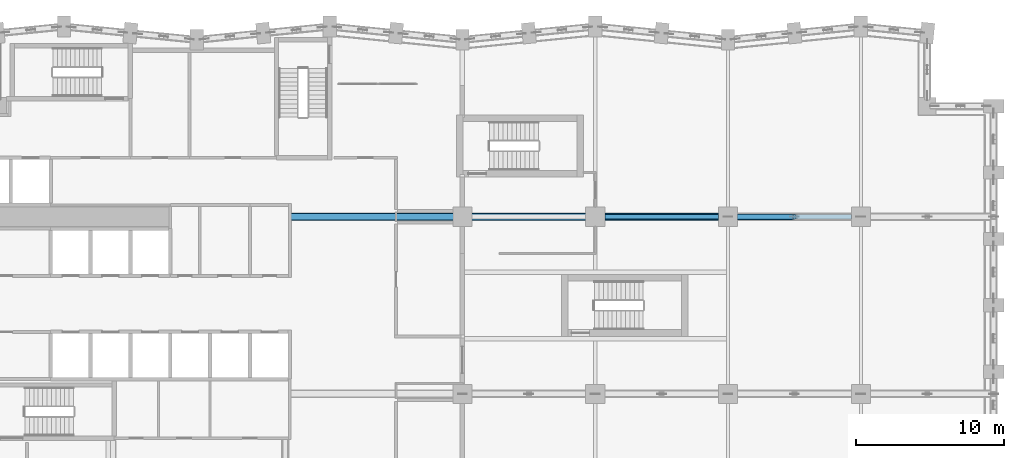
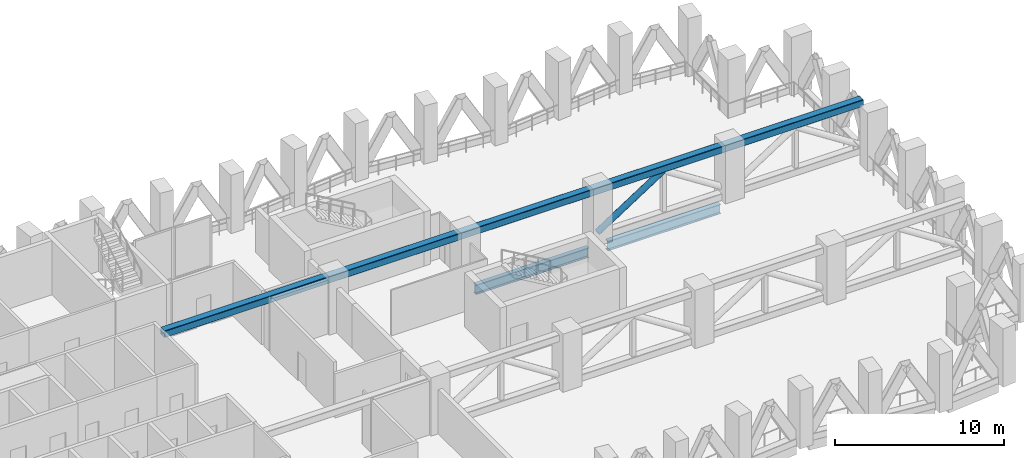
# One storey, part 11 of 25: 2 beams, 2 members.
"""IFC4 building model written with IfcOpenShell, lengths in metres."""

from ifc_helpers import new_model, si_unit, direction, frame, origin, origin_2d, place, context, subcontext, project, spatial, hollow_rectangle, hollow_circle, i_section, extrude, material, material_profile, profile_set, type_object, element, save


model = new_model("IFC4")

# Units and contexts
model_context = context("Model", 3, precision=1e-05, world=origin(), true_north=direction((0.0, 1.0)))
body_context = subcontext(model_context, "Body", "Model", "MODEL_VIEW")
ifc_project = project(units=[si_unit("LENGTHUNIT", "METRE"), si_unit("AREAUNIT", "SQUARE_METRE"), si_unit("VOLUMEUNIT", "CUBIC_METRE"), si_unit("PLANEANGLEUNIT", "RADIAN"), si_unit("MASSUNIT", "GRAM", prefix="KILO")], contexts=[model_context])

# Site, building, storey
site_placement = place(None, origin())
site = spatial("IfcSite", under=ifc_project, at=site_placement, CompositionType="ELEMENT")
building_placement = place(site_placement, origin())
building = spatial("IfcBuilding", under=site, at=building_placement, Name="Brondeck Convention Tower", CompositionType="ELEMENT")
storey_placement = place(building_placement, frame((0.0, 0.0, 84.300048828125)))
storey = spatial("IfcBuildingStorey", under=building, at=storey_placement, Name="L19", CompositionType="ELEMENT", Elevation=84.300048828125)

# Beams
ifc_material_1 = material(Name="Steel S355", Category="steel")
ifc_material_profile_1 = material_profile(ifc_material_1, i_section(OverallWidth=0.300048828125, OverallDepth=0.699951171875, WebThickness=0.01708984375, FlangeThickness=0.031982421875, FilletRadius=0.027099609375, at=origin_2d()), Name="HEB 700")
ifc_profile_set_1 = profile_set([ifc_material_profile_1], Name="Steel S355")
beam_type = type_object("IfcBeamType", Name="Girder HEB 700", PredefinedType="BEAM", material=ifc_profile_set_1)
for number, where, z_axis, x_axis, name in (
    (1, (45.64990234375, 51.0, -0.650146484375), (1.0, 0.0, 0.0), (0.0, 1.0, 0.0), "STR-GR-L19-006"),
    (2, (54.64990234375, 51.0, -0.650146484375), (1.0, 0.0, 0.0), (0.0, 1.0, 0.0), "STR-GR-L19-007"),
):
    element("IfcBeam", number, at=place(storey_placement, frame(where, z_axis=z_axis, x_axis=x_axis)), inside=storey, type_object=beam_type, Name=name, PredefinedType="BEAM", context=body_context, shape_type="SweptSolid", body=[
        extrude(i_section(OverallWidth=0.300048828125, OverallDepth=0.699951171875, WebThickness=0.01708984375, FlangeThickness=0.031982421875, FilletRadius=0.027099609375, at=origin_2d()), origin(), (0.0, 0.0, 1.0), 7.7001953125),
    ])

# Members
ifc_material_2 = material(Name="Steel S460", Category="steel")
ifc_material_profile_2 = material_profile(ifc_material_2, hollow_rectangle(XDim=0.5, YDim=0.5, WallThickness=0.02490234375, InnerFilletRadius=0.02490234375, OuterFilletRadius=0.050048828125, at=origin_2d()), Name="RHS 500x500x25")
ifc_profile_set_2 = profile_set([ifc_material_profile_2], Name="Steel S460")
member_type_1 = type_object("IfcMemberType", Name="Truss chord RHS 500x500x25", PredefinedType="CHORD", material=ifc_profile_set_2)
member_1_placement = place(storey_placement, frame((24.3701171875, 51.0, 3.64990234375), z_axis=(1.0, 0.0, 0.0), x_axis=(0.0, 1.0, 0.0)))
element("IfcMember", 3, at=member_1_placement, inside=storey, type_object=member_type_1, Name="Outrigger truss OT-19-A2 chord", PredefinedType="CHORD", context=body_context, shape_type="SweptSolid", body=[
    extrude(hollow_rectangle(XDim=0.5, YDim=0.5, WallThickness=0.02490234375, InnerFilletRadius=0.02490234375, OuterFilletRadius=0.050048828125, at=origin_2d()), origin(), (0.0, 0.0, 1.0), 47.6298828125),
])
ifc_material_profile_3 = material_profile(ifc_material_2, hollow_circle(Radius=0.203125, WallThickness=0.02490234375, at=origin_2d()), Name="CHS 406.4x25")
ifc_profile_set_3 = profile_set([ifc_material_profile_3], Name="Steel S460")
member_type_2 = type_object("IfcMemberType", Name="Truss diagonal CHS 406.4x25", PredefinedType="BRACE", material=ifc_profile_set_3)
member_2_placement = place(storey_placement, frame((54.0, 51.0, 0.5), z_axis=(0.84057934116, 0.0, 0.541688444786), x_axis=(0.0, 1.0, 0.0)))
element("IfcMember", 4, at=member_2_placement, inside=storey, type_object=member_type_2, Name="Outrigger truss OT-19-A2 diagonal", PredefinedType="BRACE", context=body_context, shape_type="SweptSolid", body=[
    extrude(hollow_circle(Radius=0.203125, WallThickness=0.02490234375, at=origin_2d()), origin(), (0.0, 0.0, 1.0), 5.353515625),
])

save(model, "model.ifc")
